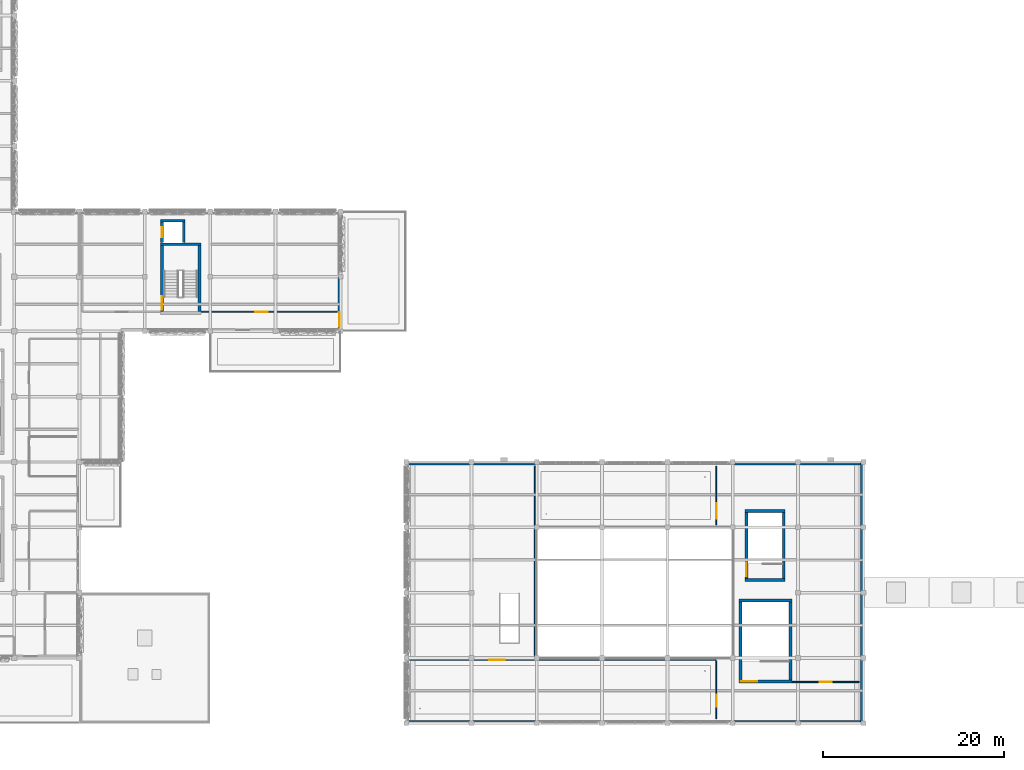
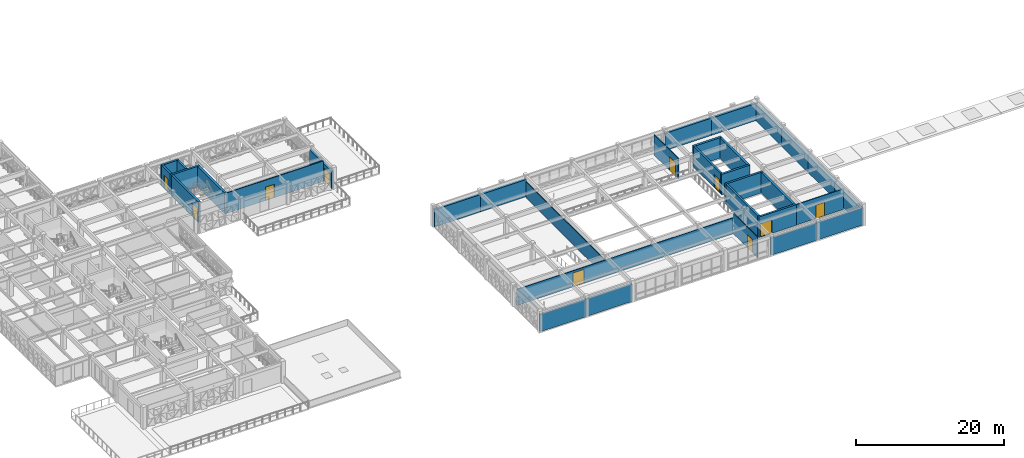
# One storey, part 42 of 74: 33 walls, 10 doors, 10 openings.
"""IFC4 building model written with IfcOpenShell, lengths in metres."""

from ifc_helpers import new_model, si_unit, direction, frame, frame_2d, origin, place, context, subcontext, project, spatial, rectangle, extrude, material, layer, layer_set, type_object, element, fill, save


model = new_model("IFC4")

# Units and contexts
model_context = context("Model", 3, precision=1e-05, world=origin(), true_north=direction((0.0, 1.0)))
body_context = subcontext(model_context, "Body", "Model", "MODEL_VIEW")
ifc_project = project(units=[si_unit("LENGTHUNIT", "METRE"), si_unit("AREAUNIT", "SQUARE_METRE"), si_unit("VOLUMEUNIT", "CUBIC_METRE"), si_unit("PLANEANGLEUNIT", "RADIAN"), si_unit("MASSUNIT", "GRAM", prefix="KILO")], contexts=[model_context])

# Site, building, storey
site_placement = place(None, origin())
site = spatial("IfcSite", under=ifc_project, at=site_placement, CompositionType="ELEMENT")
building_placement = place(site_placement, origin())
building = spatial("IfcBuilding", under=site, at=building_placement, Name="Alvorim Cloister Faculty of Sciences", CompositionType="ELEMENT")
storey_placement = place(building_placement, frame((0.0, 0.0, 15.75)))
storey = spatial("IfcBuildingStorey", under=building, at=storey_placement, Name="L04", CompositionType="ELEMENT", Elevation=15.75)

# Wall, opening, door
ifc_material_1 = material(Name="Precast Concrete C40", Category="concrete")
ifc_layer_1 = layer(ifc_material_1, 0.320068359375)
ifc_layer_set_1 = layer_set([ifc_layer_1], Name="Precast Concrete C40")
wall_type_1 = type_object("IfcWallType", Name="WL-EXT-PC-320", PredefinedType="SOLIDWALL", material=ifc_layer_set_1)
wall_1_placement = place(storey_placement, frame((57.43994140625, 43.199951171875, 0.0), z_axis=(0.0, 0.0, 1.0), x_axis=(0.0, 1.0, 0.0)))
wall_1 = element("IfcWall", 1, at=wall_1_placement, inside=storey, type_object=wall_type_1, Name="L04 Exterior Wall WL-0213", PredefinedType="SOLIDWALL", context=body_context, shape_type="SweptSolid", body=[
    extrude(rectangle(XDim=6.0, YDim=0.320068359375, at=frame_2d((3.0, 0.0))), origin(), (0.0, 0.0, 1.0), 2.840087890625),
])
opening_1_placement = place(wall_1_placement, frame((0.5, 0.0, 0.0)))
opening_1 = element("IfcOpeningElement", 2, at=opening_1_placement, cuts=wall_1, Name="Opening TD-09", PredefinedType="OPENING", context=body_context, shape_type="SweptSolid", body=[
    extrude(rectangle(XDim=1.60009765625, YDim=2.25, at=frame_2d((0.800048828125, 1.125))), frame((0.0, 0.171875, 0.0), z_axis=(0.0, -1.0, 0.0), x_axis=(1.0, 0.0, 0.0)), (0.0, 0.0, 1.0), 0.343994140625),
])
ifc_material_2 = material(Name="Aluminium Alloy 6063-T6", Category="aluminium")
door_type_1 = type_object("IfcDoorType", Name="DR-TER-1600x2250", OperationType="NOTDEFINED", PredefinedType="DOOR", material=ifc_material_2)
door_1_placement = place(opening_1_placement, origin())
door_1 = element("IfcDoor", 3, at=door_1_placement, inside=storey, type_object=door_type_1, Name="L04 East Laboratory Stepped Terrace Access Door TD-09", OperationType="DOUBLE_DOOR_SINGLE_SWING", OverallHeight=2.25, OverallWidth=1.60009765625, PredefinedType="DOOR", context=body_context, shape_type="SweptSolid", body=[
    extrude(rectangle(XDim=1.60009765625, YDim=2.25, at=frame_2d((0.800048828125, 1.125))), frame((0.0, 0.02490234375, 0.0), z_axis=(0.0, -1.0, 0.0), x_axis=(1.0, 0.0, 0.0)), (0.0, 0.0, 1.0), 0.050048828125),
])
fill(opening_1, door_1)

# Walls
for number, where, z_axis, x_axis, name in (
    (4, (108.0, 0.159912109375, 0.0), (0.0, 0.0, 1.0), (1.0, 0.0, 0.0), "L04 Exterior Wall WL-0223"),
    (5, (100.800048828125, 0.159912109375, 0.0), (0.0, 0.0, 1.0), (1.0, 0.0, 0.0), "L04 Exterior Wall WL-0224"),
    (6, (72.0, 0.159912109375, 0.0), (0.0, 0.0, 1.0), (1.0, 0.0, 0.0), "L04 Exterior Wall WL-0225"),
    (7, (64.800048828125, 0.159912109375, 0.0), (0.0, 0.0, 1.0), (1.0, 0.0, 0.0), "L04 Exterior Wall WL-0226"),
    (8, (64.800048828125, 28.639892578125, 0.0), (0.0, 0.0, 1.0), (1.0, 0.0, 0.0), "L04 Exterior Wall WL-0227"),
    (9, (72.0, 28.639892578125, 0.0), (0.0, 0.0, 1.0), (1.0, 0.0, 0.0), "L04 Exterior Wall WL-0228"),
    (10, (100.800048828125, 28.639892578125, 0.0), (0.0, 0.0, 1.0), (1.0, 0.0, 0.0), "L04 Exterior Wall WL-0229"),
    (11, (108.0, 28.639892578125, 0.0), (0.0, 0.0, 1.0), (1.0, 0.0, 0.0), "L04 Exterior Wall WL-0230"),
):
    element("IfcWall", number, at=place(storey_placement, frame(where, z_axis=z_axis, x_axis=x_axis)), inside=storey, type_object=wall_type_1, Name=name, PredefinedType="SOLIDWALL", context=body_context, shape_type="SweptSolid", body=[
        extrude(rectangle(XDim=7.199951171875, YDim=0.320068359375, at=frame_2d((3.60009765625, 0.0))), origin(), (0.0, 0.0, 1.0), 2.840087890625),
    ])

# Wall, opening, door
ifc_material_3 = material(Name="Acoustic Gypsum Stud Partition", Category="gypsum")
ifc_layer_2 = layer(ifc_material_3, 0.1201171875)
ifc_layer_set_2 = layer_set([ifc_layer_2], Name="Acoustic Gypsum Stud Partition")
wall_type_2 = type_object("IfcWallType", Name="WL-PRT-120", PredefinedType="PARTITIONING", material=ifc_layer_set_2)
wall_2_placement = place(storey_placement, frame((99.0, 0.47998046875, 0.0), z_axis=(0.0, 0.0, 1.0), x_axis=(0.0, 1.0, 0.0)))
wall_2 = element("IfcWall", 12, at=wall_2_placement, inside=storey, type_object=wall_type_2, Name="L04 Vaulted Crown South Colloquium Partition IWL-0642", PredefinedType="PARTITIONING", context=body_context, shape_type="SweptSolid", body=[
    extrude(rectangle(XDim=6.43994140625, YDim=0.1201171875, at=frame_2d((3.219970703125, 0.0))), origin(), (0.0, 0.0, 1.0), 3.375),
])
opening_2_placement = place(wall_2_placement, frame((1.355712890625, 0.0, 0.0)))
opening_2 = element("IfcOpeningElement", 13, at=opening_2_placement, cuts=wall_2, Name="Opening D-L04-180", PredefinedType="OPENING", context=body_context, shape_type="SweptSolid", body=[
    extrude(rectangle(XDim=1.320068359375, YDim=2.199951171875, at=frame_2d((0.66015625, 1.10009765625))), frame((0.0, 0.072021484375, 0.0), z_axis=(0.0, -1.0, 0.0), x_axis=(1.0, 0.0, 0.0)), (0.0, 0.0, 1.0), 0.14404296875),
])
ifc_material_4 = material(Name="Solid Acoustic Oak Timber", Category="wood")
door_type_2 = type_object("IfcDoorType", Name="DR-SEM-1320x2200", OperationType="NOTDEFINED", PredefinedType="DOOR", material=ifc_material_4)
door_2_placement = place(opening_2_placement, origin())
door_2 = element("IfcDoor", 14, at=door_2_placement, inside=storey, type_object=door_type_2, Name="Vaulted Crown South Colloquium Door D-L04-180", OperationType="SINGLE_SWING_RIGHT", OverallHeight=2.199951171875, OverallWidth=1.320068359375, PredefinedType="DOOR", context=body_context, shape_type="SweptSolid", body=[
    extrude(rectangle(XDim=1.320068359375, YDim=2.199951171875, at=frame_2d((0.66015625, 1.10009765625))), frame((0.0, 0.02490234375, 0.0), z_axis=(0.0, -1.0, 0.0), x_axis=(1.0, 0.0, 0.0)), (0.0, 0.0, 1.0), 0.050048828125),
])
fill(opening_2, door_2)

wall_3_placement = place(storey_placement, frame((65.179931640625, 7.0, 0.0), z_axis=(0.0, 0.0, 1.0), x_axis=(1.0, 0.0, 0.0)))
wall_3 = element("IfcWall", 15, at=wall_3_placement, inside=storey, type_object=wall_type_2, Name="L04 Vaulted Crown South Colloquium Partition IWL-0643", PredefinedType="PARTITIONING", context=body_context, shape_type="SweptSolid", body=[
    extrude(rectangle(XDim=33.739990234375, YDim=0.1201171875, at=frame_2d((16.8701171875, 0.0))), origin(), (0.0, 0.0, 1.0), 2.655029296875),
])
opening_3_placement = place(wall_3_placement, frame((8.780517578125, 0.0, 0.0)))
opening_3 = element("IfcOpeningElement", 16, at=opening_3_placement, cuts=wall_3, Name="Opening D-L04-181", PredefinedType="OPENING", context=body_context, shape_type="SweptSolid", body=[
    extrude(rectangle(XDim=1.699951171875, YDim=2.280029296875, at=frame_2d((0.85009765625, 1.14013671875))), frame((0.0, 0.072021484375, 0.0), z_axis=(0.0, -1.0, 0.0), x_axis=(1.0, 0.0, 0.0)), (0.0, 0.0, 1.0), 0.14404296875),
])
door_type_3 = type_object("IfcDoorType", Name="DR-HALL-1700x2280", OperationType="NOTDEFINED", PredefinedType="DOOR", material=ifc_material_4)
door_3_placement = place(opening_3_placement, origin())
door_3 = element("IfcDoor", 17, at=door_3_placement, inside=storey, type_object=door_type_3, Name="Vaulted Atrium Sky Reading Salon Door D-L04-181", OperationType="DOUBLE_DOOR_SINGLE_SWING", OverallHeight=2.280029296875, OverallWidth=1.699951171875, PredefinedType="DOOR", context=body_context, shape_type="SweptSolid", body=[
    extrude(rectangle(XDim=1.699951171875, YDim=2.280029296875, at=frame_2d((0.85009765625, 1.14013671875))), frame((0.0, 0.02490234375, 0.0), z_axis=(0.0, -1.0, 0.0), x_axis=(1.0, 0.0, 0.0)), (0.0, 0.0, 1.0), 0.050048828125),
])
fill(opening_3, door_3)

# Wall
wall_4_placement = place(storey_placement, frame((79.0, 7.10009765625, 0.0), z_axis=(0.0, 0.0, 1.0), x_axis=(0.0, 1.0, 0.0)))
element("IfcWall", 18, at=wall_4_placement, inside=storey, type_object=wall_type_2, Name="L04 Vaulted Atrium Sky Reading Salon Partition IWL-0644", PredefinedType="PARTITIONING", context=body_context, shape_type="SweptSolid", body=[
    extrude(rectangle(XDim=21.219970703125, YDim=0.1201171875, at=frame_2d((10.60986328125, 0.0))), origin(), (0.0, 0.0, 1.0), 2.655029296875),
])

# Wall, opening, door
wall_5_placement = place(storey_placement, frame((99.0, 21.8798828125, 0.0), z_axis=(0.0, 0.0, 1.0), x_axis=(0.0, 1.0, 0.0)))
wall_5 = element("IfcWall", 19, at=wall_5_placement, inside=storey, type_object=wall_type_2, Name="L04 Atrium L04 North Belvedere Study Partition IWL-0645", PredefinedType="PARTITIONING", context=body_context, shape_type="SweptSolid", body=[
    extrude(rectangle(XDim=6.440185546875, YDim=0.1201171875, at=frame_2d((3.22021484375, 0.0))), origin(), (0.0, 0.0, 1.0), 3.375),
])
opening_4_placement = place(wall_5_placement, frame((0.659912109375, 0.0, 0.0)))
opening_4 = element("IfcOpeningElement", 20, at=opening_4_placement, cuts=wall_5, Name="Opening D-L04-182", PredefinedType="OPENING", context=body_context, shape_type="SweptSolid", body=[
    extrude(rectangle(XDim=1.699951171875, YDim=2.280029296875, at=frame_2d((0.85009765625, 1.14013671875))), frame((0.0, 0.072021484375, 0.0), z_axis=(0.0, -1.0, 0.0), x_axis=(1.0, 0.0, 0.0)), (0.0, 0.0, 1.0), 0.14404296875),
])
door_4_placement = place(opening_4_placement, origin())
door_4 = element("IfcDoor", 21, at=door_4_placement, inside=storey, type_object=door_type_3, Name="Atrium L04 North Belvedere Study Door D-L04-182", OperationType="DOUBLE_DOOR_SINGLE_SWING", OverallHeight=2.280029296875, OverallWidth=1.699951171875, PredefinedType="DOOR", context=body_context, shape_type="SweptSolid", body=[
    extrude(rectangle(XDim=1.699951171875, YDim=2.280029296875, at=frame_2d((0.85009765625, 1.14013671875))), frame((0.0, 0.02490234375, 0.0), z_axis=(0.0, -1.0, 0.0), x_axis=(1.0, 0.0, 0.0)), (0.0, 0.0, 1.0), 0.050048828125),
])
fill(opening_4, door_4)

wall_6_placement = place(storey_placement, frame((107.3798828125, 4.550048828125, 0.0), z_axis=(0.0, 0.0, 1.0), x_axis=(1.0, 0.0, 0.0)))
wall_6 = element("IfcWall", 22, at=wall_6_placement, inside=storey, type_object=wall_type_2, Name="L04 Vaulted Crown Seminar Room Partition IWL-0646", PredefinedType="PARTITIONING", context=body_context, shape_type="SweptSolid", body=[
    extrude(rectangle(XDim=7.340087890625, YDim=0.1201171875, at=frame_2d((3.669921875, 0.0))), origin(), (0.0, 0.0, 1.0), 3.375),
])
opening_5_placement = place(wall_6_placement, frame((3.010009765625, 0.0, 0.0)))
opening_5 = element("IfcOpeningElement", 23, at=opening_5_placement, cuts=wall_6, Name="Opening D-L04-183", PredefinedType="OPENING", context=body_context, shape_type="SweptSolid", body=[
    extrude(rectangle(XDim=1.320068359375, YDim=2.199951171875, at=frame_2d((0.66015625, 1.10009765625))), frame((0.0, 0.072021484375, 0.0), z_axis=(0.0, -1.0, 0.0), x_axis=(1.0, 0.0, 0.0)), (0.0, 0.0, 1.0), 0.14404296875),
])
door_5_placement = place(opening_5_placement, origin())
door_5 = element("IfcDoor", 24, at=door_5_placement, inside=storey, type_object=door_type_2, Name="Vaulted Crown Seminar Room Door D-L04-183", OperationType="SINGLE_SWING_LEFT", OverallHeight=2.199951171875, OverallWidth=1.320068359375, PredefinedType="DOOR", context=body_context, shape_type="SweptSolid", body=[
    extrude(rectangle(XDim=1.320068359375, YDim=2.199951171875, at=frame_2d((0.66015625, 1.10009765625))), frame((0.0, 0.02490234375, 0.0), z_axis=(0.0, -1.0, 0.0), x_axis=(1.0, 0.0, 0.0)), (0.0, 0.0, 1.0), 0.050048828125),
])
fill(opening_5, door_5)

ifc_material_5 = material(Name="Gypsum Fireboard Stud Partition", Category="gypsum")
ifc_layer_3 = layer(ifc_material_5, 0.14990234375)
ifc_layer_set_3 = layer_set([ifc_layer_3], Name="Gypsum Fireboard Stud Partition")
wall_type_3 = type_object("IfcWallType", Name="WL-PRT-150", PredefinedType="PARTITIONING", material=ifc_layer_set_3)
wall_7_placement = place(storey_placement, frame((42.179931640625, 45.35009765625, 0.0), z_axis=(0.0, 0.0, 1.0), x_axis=(1.0, 0.0, 0.0)))
wall_7 = element("IfcWall", 25, at=wall_7_placement, inside=storey, type_object=wall_type_3, Name="L04 Molecular Biology Wet Lab Partition IWL-0633", PredefinedType="PARTITIONING", context=body_context, shape_type="SweptSolid", body=[
    extrude(rectangle(XDim=15.0400390625, YDim=0.14990234375, at=frame_2d((7.52001953125, 0.0))), origin(), (0.0, 0.0, 1.0), 3.375),
])
opening_6_placement = place(wall_7_placement, frame((6.016845703125, 0.0, 0.0)))
opening_6 = element("IfcOpeningElement", 26, at=opening_6_placement, cuts=wall_7, Name="Opening D-L04-174", PredefinedType="OPENING", context=body_context, shape_type="SweptSolid", body=[
    extrude(rectangle(XDim=1.35009765625, YDim=2.199951171875, at=frame_2d((0.675048828125, 1.10009765625))), frame((0.0, 0.0869140625, 0.0), z_axis=(0.0, -1.0, 0.0), x_axis=(1.0, 0.0, 0.0)), (0.0, 0.0, 1.0), 0.173828125),
])
ifc_material_6 = material(Name="Fire-Rated Laminate Timber", Category="wood")
door_type_4 = type_object("IfcDoorType", Name="DR-LAB-1350x2200", OperationType="NOTDEFINED", PredefinedType="DOOR", material=ifc_material_6)
door_6_placement = place(opening_6_placement, origin())
door_6 = element("IfcDoor", 27, at=door_6_placement, inside=storey, type_object=door_type_4, Name="Molecular Biology Wet Lab Door D-L04-174", OperationType="SINGLE_SWING_RIGHT", OverallHeight=2.199951171875, OverallWidth=1.35009765625, PredefinedType="DOOR", context=body_context, shape_type="SweptSolid", body=[
    extrude(rectangle(XDim=1.35009765625, YDim=2.199951171875, at=frame_2d((0.675048828125, 1.10009765625))), frame((0.0, 0.02490234375, 0.0), z_axis=(0.0, -1.0, 0.0), x_axis=(1.0, 0.0, 0.0)), (0.0, 0.0, 1.0), 0.050048828125),
])
fill(opening_6, door_6)

# Wall
ifc_material_7 = material(Name="Concrete C40", Category="concrete")
ifc_layer_4 = layer(ifc_material_7, 0.300048828125)
ifc_layer_set_4 = layer_set([ifc_layer_4], Name="Concrete C40")
wall_type_4 = type_object("IfcWallType", Name="WL-SHR-300", PredefinedType="SHEAR", material=ifc_layer_set_4)
wall_8_placement = place(storey_placement, frame((37.75, 55.39990234375, 0.0), z_axis=(0.0, 0.0, 1.0), x_axis=(1.0, 0.0, 0.0)))
element("IfcWall", 28, at=wall_8_placement, inside=storey, type_object=wall_type_4, Name="L04 Lift LP-04 Shaft Wall IWL-0353", PredefinedType="SHEAR", context=body_context, shape_type="SweptSolid", body=[
    extrude(rectangle(XDim=2.699951171875, YDim=0.300048828125, at=frame_2d((1.35009765625, 0.0))), origin(), (0.0, 0.0, 1.0), 3.389892578125),
])

# Wall, opening, door
wall_9_placement = place(storey_placement, frame((37.89990234375, 52.97998046875, 0.0), z_axis=(0.0, 0.0, 1.0), x_axis=(0.0, 1.0, 0.0)))
wall_9 = element("IfcWall", 29, at=wall_9_placement, inside=storey, type_object=wall_type_4, Name="L04 Lift LP-04 Shaft Wall IWL-0354", PredefinedType="SHEAR", context=body_context, shape_type="SweptSolid", body=[
    extrude(rectangle(XDim=2.27001953125, YDim=0.300048828125, at=frame_2d((1.135009765625, 0.0))), origin(), (0.0, 0.0, 1.0), 3.389892578125),
])
opening_7_placement = place(wall_9_placement, frame((0.5849609375, 0.0, 0.0)))
opening_7 = element("IfcOpeningElement", 30, at=opening_7_placement, cuts=wall_9, Name="Opening LD-048", PredefinedType="OPENING", context=body_context, shape_type="SweptSolid", body=[
    extrude(rectangle(XDim=1.10009765625, YDim=2.199951171875, at=frame_2d((0.550048828125, 1.10009765625))), frame((0.0, 0.162109375, 0.0), z_axis=(0.0, -1.0, 0.0), x_axis=(1.0, 0.0, 0.0)), (0.0, 0.0, 1.0), 0.323974609375),
])
ifc_material_8 = material(Name="Brushed Stainless Steel", Category="steel")
door_type_5 = type_object("IfcDoorType", Name="DR-LFT-1100x2200", OperationType="NOTDEFINED", PredefinedType="DOOR", material=ifc_material_8)
door_7_placement = place(opening_7_placement, origin())
door_7 = element("IfcDoor", 31, at=door_7_placement, inside=storey, type_object=door_type_5, Name="L04 Lift LP-04 Sliding Landing Door LD-048", OperationType="DOUBLE_DOOR_SLIDING", OverallHeight=2.199951171875, OverallWidth=1.10009765625, PredefinedType="DOOR", context=body_context, shape_type="SweptSolid", body=[
    extrude(rectangle(XDim=1.10009765625, YDim=2.199951171875, at=frame_2d((0.550048828125, 1.10009765625))), frame((0.0, 0.02490234375, 0.0), z_axis=(0.0, -1.0, 0.0), x_axis=(1.0, 0.0, 0.0)), (0.0, 0.0, 1.0), 0.050048828125),
])
fill(opening_7, door_7)

# Walls
wall_10_placement = place(storey_placement, frame((40.300048828125, 52.97998046875, 0.0), z_axis=(0.0, 0.0, 1.0), x_axis=(0.0, 1.0, 0.0)))
element("IfcWall", 32, at=wall_10_placement, inside=storey, type_object=wall_type_4, Name="L04 Lift LP-04 Shaft Wall IWL-0355", PredefinedType="SHEAR", context=body_context, shape_type="SweptSolid", body=[
    extrude(rectangle(XDim=2.27001953125, YDim=0.300048828125, at=frame_2d((1.135009765625, 0.0))), origin(), (0.0, 0.0, 1.0), 3.389892578125),
])
ifc_layer_5 = layer(ifc_material_7, 0.320068359375)
ifc_layer_set_5 = layer_set([ifc_layer_5], Name="Concrete C40")
wall_type_5 = type_object("IfcWallType", Name="WL-SHR-320", PredefinedType="SHEAR", material=ifc_layer_set_5)
wall_11_placement = place(storey_placement, frame((37.739990234375, 52.800048828125, 0.0), z_axis=(0.0, 0.0, 1.0), x_axis=(1.0, 0.0, 0.0)))
element("IfcWall", 33, at=wall_11_placement, inside=storey, type_object=wall_type_5, Name="L04 CORE K4 Shear Wall IWL-0150", PredefinedType="SHEAR", context=body_context, shape_type="SweptSolid", body=[
    extrude(rectangle(XDim=4.43994140625, YDim=0.320068359375, at=frame_2d((2.219970703125, 0.0))), origin(), (0.0, 0.0, 1.0), 3.389892578125),
])

# Wall, opening, door
wall_12_placement = place(storey_placement, frame((37.89990234375, 45.360107421875, 0.0), z_axis=(0.0, 0.0, 1.0), x_axis=(0.0, 1.0, 0.0)))
wall_12 = element("IfcWall", 34, at=wall_12_placement, inside=storey, type_object=wall_type_5, Name="L04 CORE K4 Shear Wall IWL-0151", PredefinedType="SHEAR", context=body_context, shape_type="SweptSolid", body=[
    extrude(rectangle(XDim=7.27978515625, YDim=0.320068359375, at=frame_2d((3.639892578125, 0.0))), origin(), (0.0, 0.0, 1.0), 3.389892578125),
])
opening_8_placement = place(wall_12_placement, frame((0.219970703125, 0.0, 0.0)))
opening_8 = element("IfcOpeningElement", 35, at=opening_8_placement, cuts=wall_12, Name="Opening SD-K4-L04", PredefinedType="OPENING", context=body_context, shape_type="SweptSolid", body=[
    extrude(rectangle(XDim=1.5, YDim=2.199951171875, at=frame_2d((0.75, 1.10009765625))), frame((0.0, 0.171875, 0.0), z_axis=(0.0, -1.0, 0.0), x_axis=(1.0, 0.0, 0.0)), (0.0, 0.0, 1.0), 0.343994140625),
])
ifc_material_9 = material(Name="Galvanised Fire-Rated Steel", Category="steel")
door_type_6 = type_object("IfcDoorType", Name="DR-STR-1500x2200", OperationType="NOTDEFINED", PredefinedType="DOOR", material=ifc_material_9)
door_8_placement = place(opening_8_placement, origin())
door_8 = element("IfcDoor", 36, at=door_8_placement, inside=storey, type_object=door_type_6, Name="L04 Stair ST-04 Fire Door SD-K4-L04", OperationType="DOUBLE_DOOR_SINGLE_SWING", OverallHeight=2.199951171875, OverallWidth=1.5, PredefinedType="DOOR", context=body_context, shape_type="SweptSolid", body=[
    extrude(rectangle(XDim=1.5, YDim=2.199951171875, at=frame_2d((0.75, 1.10009765625))), frame((0.0, 0.02490234375, 0.0), z_axis=(0.0, -1.0, 0.0), x_axis=(1.0, 0.0, 0.0)), (0.0, 0.0, 1.0), 0.050048828125),
])
fill(opening_8, door_8)

# Walls
wall_13_placement = place(storey_placement, frame((42.02001953125, 45.360107421875, 0.0), z_axis=(0.0, 0.0, 1.0), x_axis=(0.0, 1.0, 0.0)))
element("IfcWall", 37, at=wall_13_placement, inside=storey, type_object=wall_type_5, Name="L04 CORE K4 Shear Wall IWL-0152", PredefinedType="SHEAR", context=body_context, shape_type="SweptSolid", body=[
    extrude(rectangle(XDim=7.27978515625, YDim=0.320068359375, at=frame_2d((3.639892578125, 0.0))), origin(), (0.0, 0.0, 1.0), 3.389892578125),
])
for number, where, z_axis, x_axis, name in (
    (38, (102.139892578125, 15.800048828125, 0.0), (0.0, 0.0, 1.0), (1.0, 0.0, 0.0), "L04 CORE K6 Shear Wall IWL-0205"),
    (39, (102.139892578125, 23.39990234375, 0.0), (0.0, 0.0, 1.0), (1.0, 0.0, 0.0), "L04 CORE K6 Shear Wall IWL-0206"),
):
    element("IfcWall", number, at=place(storey_placement, frame(where, z_axis=z_axis, x_axis=x_axis)), inside=storey, type_object=wall_type_5, Name=name, PredefinedType="SHEAR", context=body_context, shape_type="SweptSolid", body=[
        extrude(rectangle(XDim=4.440185546875, YDim=0.320068359375, at=frame_2d((2.22021484375, 0.0))), origin(), (0.0, 0.0, 1.0), 3.389892578125),
    ])

# Wall, opening, door
wall_14_placement = place(storey_placement, frame((102.300048828125, 15.9599609375, 0.0), z_axis=(0.0, 0.0, 1.0), x_axis=(0.0, 1.0, 0.0)))
wall_14 = element("IfcWall", 40, at=wall_14_placement, inside=storey, type_object=wall_type_5, Name="L04 CORE K6 Shear Wall IWL-0207", PredefinedType="SHEAR", context=body_context, shape_type="SweptSolid", body=[
    extrude(rectangle(XDim=7.280029296875, YDim=0.320068359375, at=frame_2d((3.64013671875, 0.0))), origin(), (0.0, 0.0, 1.0), 3.389892578125),
])
opening_9_placement = place(wall_14_placement, frame((0.219970703125, 0.0, 0.0)))
opening_9 = element("IfcOpeningElement", 41, at=opening_9_placement, cuts=wall_14, Name="Opening SD-K6-L04", PredefinedType="OPENING", context=body_context, shape_type="SweptSolid", body=[
    extrude(rectangle(XDim=1.5, YDim=2.199951171875, at=frame_2d((0.75, 1.10009765625))), frame((0.0, 0.171875, 0.0), z_axis=(0.0, -1.0, 0.0), x_axis=(1.0, 0.0, 0.0)), (0.0, 0.0, 1.0), 0.343994140625),
])
door_9_placement = place(opening_9_placement, origin())
door_9 = element("IfcDoor", 42, at=door_9_placement, inside=storey, type_object=door_type_6, Name="L04 Stair ST-06 Fire Door SD-K6-L04", OperationType="DOUBLE_DOOR_SINGLE_SWING", OverallHeight=2.199951171875, OverallWidth=1.5, PredefinedType="DOOR", context=body_context, shape_type="SweptSolid", body=[
    extrude(rectangle(XDim=1.5, YDim=2.199951171875, at=frame_2d((0.75, 1.10009765625))), frame((0.0, 0.02490234375, 0.0), z_axis=(0.0, -1.0, 0.0), x_axis=(1.0, 0.0, 0.0)), (0.0, 0.0, 1.0), 0.050048828125),
])
fill(opening_9, door_9)

# Wall
wall_15_placement = place(storey_placement, frame((106.419921875, 15.9599609375, 0.0), z_axis=(0.0, 0.0, 1.0), x_axis=(0.0, 1.0, 0.0)))
element("IfcWall", 43, at=wall_15_placement, inside=storey, type_object=wall_type_5, Name="L04 CORE K6 Shear Wall IWL-0208", PredefinedType="SHEAR", context=body_context, shape_type="SweptSolid", body=[
    extrude(rectangle(XDim=7.280029296875, YDim=0.320068359375, at=frame_2d((3.64013671875, 0.0))), origin(), (0.0, 0.0, 1.0), 3.389892578125),
])

# Wall, opening, door
wall_16_placement = place(storey_placement, frame((101.47998046875, 4.60009765625, 0.0), z_axis=(0.0, 0.0, 1.0), x_axis=(1.0, 0.0, 0.0)))
wall_16 = element("IfcWall", 44, at=wall_16_placement, inside=storey, type_object=wall_type_5, Name="L04 CORE K7 Shear Wall IWL-0229", PredefinedType="SHEAR", context=body_context, shape_type="SweptSolid", body=[
    extrude(rectangle(XDim=5.840087890625, YDim=0.320068359375, at=frame_2d((2.919921875, 0.0))), origin(), (0.0, 0.0, 1.0), 3.389892578125),
])
opening_10_placement = place(wall_16_placement, frame((0.219970703125, 0.0, 0.0)))
opening_10 = element("IfcOpeningElement", 45, at=opening_10_placement, cuts=wall_16, Name="Opening SD-K7-L04", PredefinedType="OPENING", context=body_context, shape_type="SweptSolid", body=[
    extrude(rectangle(XDim=1.800048828125, YDim=2.199951171875, at=frame_2d((0.89990234375, 1.10009765625))), frame((0.0, 0.171875, 0.0), z_axis=(0.0, -1.0, 0.0), x_axis=(1.0, 0.0, 0.0)), (0.0, 0.0, 1.0), 0.343994140625),
])
door_type_7 = type_object("IfcDoorType", Name="DR-STR-1800x2200", OperationType="NOTDEFINED", PredefinedType="DOOR", material=ifc_material_9)
door_10_placement = place(opening_10_placement, origin())
door_10 = element("IfcDoor", 46, at=door_10_placement, inside=storey, type_object=door_type_7, Name="L04 Stair ST-12 Fire Door SD-K7-L04", OperationType="DOUBLE_DOOR_SINGLE_SWING", OverallHeight=2.199951171875, OverallWidth=1.800048828125, PredefinedType="DOOR", context=body_context, shape_type="SweptSolid", body=[
    extrude(rectangle(XDim=1.800048828125, YDim=2.199951171875, at=frame_2d((0.89990234375, 1.10009765625))), frame((0.0, 0.02490234375, 0.0), z_axis=(0.0, -1.0, 0.0), x_axis=(1.0, 0.0, 0.0)), (0.0, 0.0, 1.0), 0.050048828125),
])
fill(opening_10, door_10)

# Walls
wall_17_placement = place(storey_placement, frame((101.47998046875, 13.550048828125, 0.0), z_axis=(0.0, 0.0, 1.0), x_axis=(1.0, 0.0, 0.0)))
element("IfcWall", 47, at=wall_17_placement, inside=storey, type_object=wall_type_5, Name="L04 CORE K7 Shear Wall IWL-0230", PredefinedType="SHEAR", context=body_context, shape_type="SweptSolid", body=[
    extrude(rectangle(XDim=5.840087890625, YDim=0.320068359375, at=frame_2d((2.919921875, 0.0))), origin(), (0.0, 0.0, 1.0), 3.389892578125),
])
for number, where, z_axis, x_axis, name in (
    (48, (101.639892578125, 4.760009765625, 0.0), (0.0, 0.0, 1.0), (0.0, 1.0, 0.0), "L04 CORE K7 Shear Wall IWL-0231"),
    (49, (107.159912109375, 4.760009765625, 0.0), (0.0, 0.0, 1.0), (0.0, 1.0, 0.0), "L04 CORE K7 Shear Wall IWL-0232"),
):
    element("IfcWall", number, at=place(storey_placement, frame(where, z_axis=z_axis, x_axis=x_axis)), inside=storey, type_object=wall_type_5, Name=name, PredefinedType="SHEAR", context=body_context, shape_type="SweptSolid", body=[
        extrude(rectangle(XDim=8.6298828125, YDim=0.320068359375, at=frame_2d((4.31494140625, 0.0))), origin(), (0.0, 0.0, 1.0), 3.389892578125),
    ])
ifc_layer_6 = layer(ifc_material_7, 0.320068359375)
ifc_layer_set_6 = layer_set([ifc_layer_6], Name="Concrete C40")
wall_type_6 = type_object("IfcWallType", Name="WL-SHR-EXT-320", PredefinedType="SHEAR", material=ifc_layer_set_6)
wall_18_placement = place(storey_placement, frame((115.0400390625, 21.60009765625, 0.0), z_axis=(0.0, 0.0, 1.0), x_axis=(0.0, 1.0, 0.0)))
element("IfcWall", 50, at=wall_18_placement, inside=storey, type_object=wall_type_6, Name="L04 Exterior Wall WL-0219", PredefinedType="SHEAR", context=body_context, shape_type="SweptSolid", body=[
    extrude(rectangle(XDim=7.199951171875, YDim=0.320068359375, at=frame_2d((3.60009765625, 0.0))), origin(), (0.0, 0.0, 1.0), 2.735595703125),
])
wall_19_placement = place(storey_placement, frame((115.0400390625, 14.39990234375, 0.0), z_axis=(0.0, 0.0, 1.0), x_axis=(0.0, 1.0, 0.0)))
element("IfcWall", 51, at=wall_19_placement, inside=storey, type_object=wall_type_6, Name="L04 Exterior Wall WL-0220", PredefinedType="SHEAR", context=body_context, shape_type="SweptSolid", body=[
    extrude(rectangle(XDim=7.2001953125, YDim=0.320068359375, at=frame_2d((3.60009765625, 0.0))), origin(), (0.0, 0.0, 1.0), 2.840087890625),
])
wall_20_placement = place(storey_placement, frame((115.0400390625, 7.199951171875, 0.0), z_axis=(0.0, 0.0, 1.0), x_axis=(0.0, 1.0, 0.0)))
element("IfcWall", 52, at=wall_20_placement, inside=storey, type_object=wall_type_6, Name="L04 Exterior Wall WL-0221", PredefinedType="SHEAR", context=body_context, shape_type="SweptSolid", body=[
    extrude(rectangle(XDim=7.199951171875, YDim=0.320068359375, at=frame_2d((3.60009765625, 0.0))), origin(), (0.0, 0.0, 1.0), 2.840087890625),
])
wall_21_placement = place(storey_placement, frame((115.0400390625, 0.0, 0.0), z_axis=(0.0, 0.0, 1.0), x_axis=(0.0, 1.0, 0.0)))
element("IfcWall", 53, at=wall_21_placement, inside=storey, type_object=wall_type_6, Name="L04 Exterior Wall WL-0222", PredefinedType="SHEAR", context=body_context, shape_type="SweptSolid", body=[
    extrude(rectangle(XDim=7.199951171875, YDim=0.320068359375, at=frame_2d((3.60009765625, 0.0))), origin(), (0.0, 0.0, 1.0), 2.735595703125),
])

save(model, "model.ifc")
